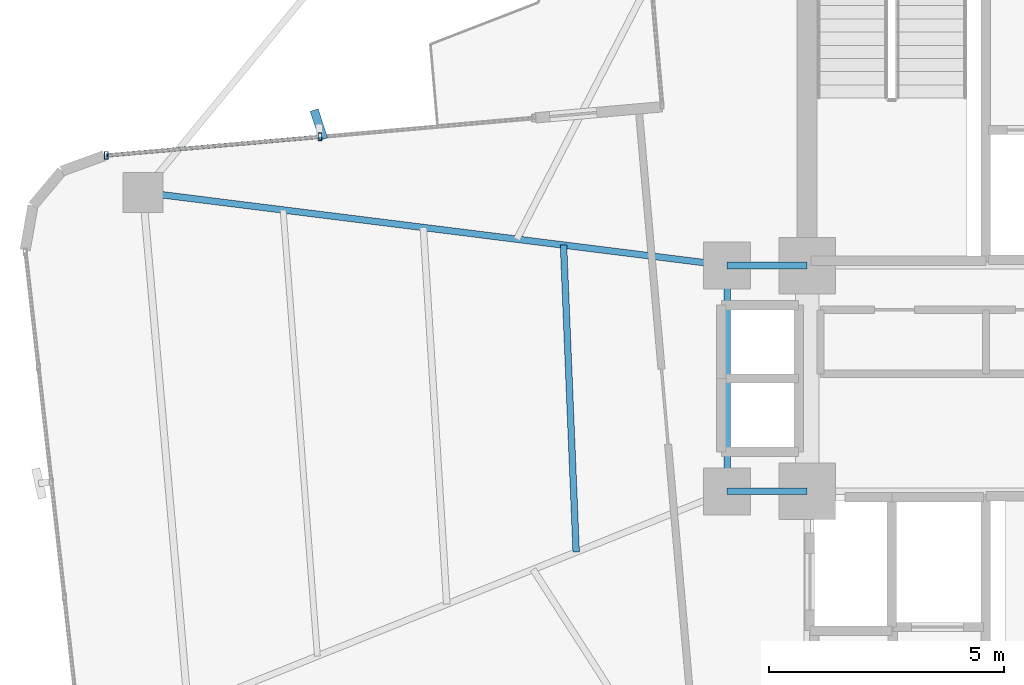
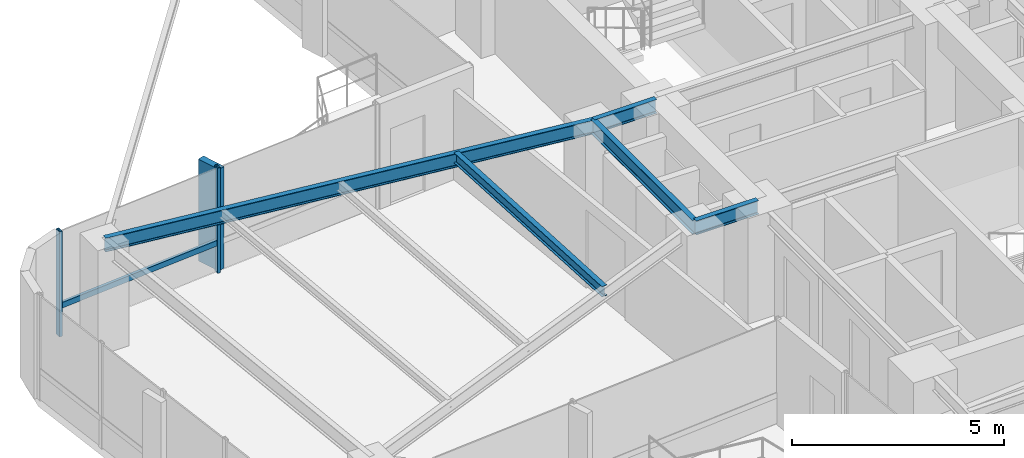
# One storey, part 9 of 24: 5 beams, 4 members, 1 element without a shape of its own.
"""IFC4 building model written with IfcOpenShell, lengths in metres."""

from ifc_helpers import new_model, si_unit, direction, frame, origin, origin_2d, place, context, subcontext, project, spatial, rectangle, hollow_rectangle, i_section, extrude, source, transform, mapped, material, material_profile, profile_set, type_object, element, aggregate, save


model = new_model("IFC4")

# Units and contexts
model_context = context("Model", 3, precision=1e-05, world=origin(), true_north=direction((0.0, 1.0)))
body_context = subcontext(model_context, "Body", "Model", "MODEL_VIEW")
ifc_project = project(units=[si_unit("LENGTHUNIT", "METRE"), si_unit("AREAUNIT", "SQUARE_METRE"), si_unit("VOLUMEUNIT", "CUBIC_METRE"), si_unit("PLANEANGLEUNIT", "RADIAN"), si_unit("MASSUNIT", "GRAM", prefix="KILO")], contexts=[model_context])

# Site, building, storey
site_placement = place(None, origin())
site = spatial("IfcSite", under=ifc_project, at=site_placement, CompositionType="ELEMENT")
building_placement = place(site_placement, origin())
building = spatial("IfcBuilding", under=site, at=building_placement, Name="Sahyath Konkavel Grand Hotel", CompositionType="ELEMENT")
storey_placement = place(building_placement, frame((0.0, 0.0, 198.64990234375)))
storey = spatial("IfcBuildingStorey", under=building, at=storey_placement, Name="L55", CompositionType="ELEMENT", Elevation=198.64990234375)

# Beams
ifc_material_1 = material(Name="Steel E350", Category="steel")
ifc_material_profile_1 = material_profile(ifc_material_1, i_section(OverallWidth=0.139892578125, OverallDepth=0.39990234375, WebThickness=0.0087890625, FlangeThickness=0.01611328125, FilletRadius=0.013916015625, at=origin_2d()), Name="ISMB 400")
ifc_profile_set_1 = profile_set([ifc_material_profile_1], Name="Steel E350")
beam_type_1 = type_object("IfcBeamType", Name="BM-ISMB400", PredefinedType="BEAM", material=ifc_profile_set_1)
shared_shape_1 = source(origin(), body_context, "Body", "SweptSolid", [
    extrude(i_section(OverallWidth=0.139892578125, OverallDepth=0.39990234375, WebThickness=0.0087890625, FlangeThickness=0.01611328125, FilletRadius=0.013916015625, at=origin_2d()), origin(), (0.0, 0.0, 1.0), 1.699951171875),
])
for number, where, z_axis, x_axis, name in (
    (1, (-5.5, 2.39990234375, 2.830078125), (1.0, 0.0, 0.0), (0.0, 1.0, 0.0), "str:bm:L55:HB-NW"),
    (2, (-5.5, -2.39990234375, 2.830078125), (1.0, 0.0, 0.0), (0.0, 1.0, 0.0), "str:bm:L55:HB-SW"),
):
    element("IfcBeam", number, at=place(storey_placement, frame(where, z_axis=z_axis, x_axis=x_axis)), inside=storey, type_object=beam_type_1, Name=name, PredefinedType="BEAM", context=body_context, shape_type="MappedRepresentation", body=[
        mapped(shared_shape_1, transform((0.0, 0.0, 0.0), scale=1.0)),
    ])
shared_shape_2 = source(origin(), body_context, "Body", "SweptSolid", [
    extrude(i_section(OverallWidth=0.139892578125, OverallDepth=0.39990234375, WebThickness=0.0087890625, FlangeThickness=0.01611328125, FilletRadius=0.013916015625, at=origin_2d()), origin(), (0.0, 0.0, 1.0), 4.7998046875),
])
beam_1_placement = place(storey_placement, frame((-5.5, -2.39990234375, 2.830078125), z_axis=(0.0, 1.0, 0.0), x_axis=(-1.0, 0.0, 0.0)))
element("IfcBeam", 3, at=beam_1_placement, inside=storey, type_object=beam_type_1, Name="str:bm:L55:HB-W", PredefinedType="BEAM", context=body_context, shape_type="MappedRepresentation", body=[
    mapped(shared_shape_2, transform((0.0, 0.0, 0.0), scale=1.0)),
])
shared_shape_3 = source(origin(), body_context, "Body", "SweptSolid", [
    extrude(i_section(OverallWidth=0.139892578125, OverallDepth=0.39990234375, WebThickness=0.0087890625, FlangeThickness=0.01611328125, FilletRadius=0.013916015625, at=origin_2d()), origin(), (0.0, 0.0, 1.0), 12.509765625),
])
beam_2_placement = place(storey_placement, frame((-5.5, 2.39990234375, 2.830078125), z_axis=(-0.992254740459, 0.124219684578, 0.0), x_axis=(-0.124219684578, -0.992254740459, 0.0)))
element("IfcBeam", 4, at=beam_2_placement, inside=storey, type_object=beam_type_1, Name="L55 Cruciform Radial Girder WA", PredefinedType="BEAM", context=body_context, shape_type="MappedRepresentation", body=[
    mapped(shared_shape_3, transform((0.0, 0.0, 0.0), scale=1.0)),
])
ifc_material_profile_2 = material_profile(ifc_material_1, i_section(OverallWidth=0.139892578125, OverallDepth=0.300048828125, WebThickness=0.0078125, FlangeThickness=0.01318359375, FilletRadius=0.013916015625, at=origin_2d()), Name="ISMB 300")
ifc_profile_set_2 = profile_set([ifc_material_profile_2], Name="Steel E350")
beam_type_2 = type_object("IfcBeamType", Name="BM-ISMB300", PredefinedType="BEAM", material=ifc_profile_set_2)
shared_shape_4 = source(origin(), body_context, "Body", "SweptSolid", [
    extrude(i_section(OverallWidth=0.139892578125, OverallDepth=0.300048828125, WebThickness=0.0078125, FlangeThickness=0.01318359375, FilletRadius=0.013916015625, at=origin_2d()), origin(), (0.0, 0.0, 1.0), 6.530029296875),
])
beam_3_placement = place(storey_placement, frame((-8.9755859375, 2.835205078125, 2.880126953125), z_axis=(0.04112667768, -0.999153940283, 0.0), x_axis=(0.999153940283, 0.04112667768, 0.0)))
element("IfcBeam", 5, at=beam_3_placement, inside=storey, type_object=beam_type_2, Name="L55 Secondary Floor Beam W-1", PredefinedType="BEAM", context=body_context, shape_type="MappedRepresentation", body=[
    mapped(shared_shape_4, transform((0.0, 0.0, 0.0), scale=1.0)),
])

# Curtain wall, members
ifc_material_2 = material(Name="Anodised Bronze Aluminium & Low-E Glazing", Category="aluminium")
curtain_wall_type = type_object("IfcCurtainWallType", Name="CW-ZONE3", PredefinedType="NOTDEFINED", material=ifc_material_2)
curtain_wall_placement = place(storey_placement, origin())
curtain_wall = element("IfcCurtainWall", 6, at=curtain_wall_placement, inside=storey, type_object=curtain_wall_type, Name="L55 Unitised Curtain Wall F16", PredefinedType="NOTDEFINED")
ifc_material_3 = material(Name="Anodised Bronze Aluminium", Category="aluminium")
ifc_material_profile_3 = material_profile(ifc_material_3, hollow_rectangle(XDim=0.080078125, YDim=0.159912109375, WallThickness=0.006103515625, at=origin_2d()), Name="RHS 160x80x6")
ifc_profile_set_3 = profile_set([ifc_material_profile_3], Name="Anodised Bronze Aluminium")
member_type_1 = type_object("IfcMemberType", Name="CW-MUL-160", PredefinedType="MULLION", material=ifc_profile_set_3)
shared_shape_5 = source(origin(), body_context, "Body", "SweptSolid", [
    extrude(hollow_rectangle(XDim=0.080078125, YDim=0.159912109375, WallThickness=0.006103515625, at=origin_2d()), origin(), (0.0, 0.0, 1.0), 3.030029296875),
])
member_1_placement = place(storey_placement, frame((-14.151611328125, 5.135986328125, 0.0), z_axis=(0.0, 0.0, 1.0), x_axis=(1.0, 0.0, 0.0)))
member_1 = element("IfcMember", 7, at=member_1_placement, type_object=member_type_1, Name="L55 Curtain Wall Mullion F16-1", PredefinedType="MULLION", context=body_context, shape_type="MappedRepresentation", body=[
    mapped(shared_shape_5, transform((0.0, 0.0, 0.0), scale=1.0)),
])
member_2_placement = place(storey_placement, frame((-18.694091796875, 4.73876953125, 0.0), z_axis=(0.0, 0.0, 1.0), x_axis=(1.0, 0.0, 0.0)))
member_2 = element("IfcMember", 8, at=member_2_placement, type_object=member_type_1, Name="L55 Curtain Wall Mullion F16-2", PredefinedType="MULLION", context=body_context, shape_type="MappedRepresentation", body=[
    mapped(shared_shape_5, transform((0.0, 0.0, 0.0), scale=1.0)),
])
ifc_material_4 = material(Name="Warm Buff Sandstone Cladding on Concrete C50/60", Category="masonry")
ifc_material_profile_4 = material_profile(ifc_material_4, rectangle(XDim=0.179931640625, YDim=0.64990234375, at=origin_2d()), Name="FIN 180x650")
ifc_profile_set_4 = profile_set([ifc_material_profile_4], Name="Warm Buff Sandstone Cladding on Concrete C50/60")
member_type_2 = type_object("IfcMemberType", Name="FIN-SANDSTONE-650", PredefinedType="MULLION", material=ifc_profile_set_4)
shared_shape_6 = source(origin(), body_context, "Body", "SweptSolid", [
    extrude(rectangle(XDim=0.179931640625, YDim=0.64990234375, at=origin_2d()), origin(), (0.0, 0.0, 1.0), 2.929931640625),
])
member_3_placement = place(storey_placement, frame((-14.17431640625, 5.39501953125, 0.050048828125), z_axis=(0.0, 0.0, 1.0), x_axis=(0.951056516295, 0.309016994375, 0.0)))
member_3 = element("IfcMember", 9, at=member_3_placement, type_object=member_type_2, Name="L55 Sandstone Vertical Solar Fin FIN F16-1", PredefinedType="MULLION", context=body_context, shape_type="MappedRepresentation", body=[
    mapped(shared_shape_6, transform((0.0, 0.0, 0.0), scale=1.0)),
])
ifc_material_profile_5 = material_profile(ifc_material_3, hollow_rectangle(XDim=0.080078125, YDim=0.159912109375, WallThickness=0.006103515625, at=origin_2d()), Name="RHS 160x80x6")
ifc_profile_set_5 = profile_set([ifc_material_profile_5], Name="Anodised Bronze Aluminium")
member_type_3 = type_object("IfcMemberType", Name="CW-TRN-160", PredefinedType="USERDEFINED", material=ifc_profile_set_5)
shared_shape_7 = source(origin(), body_context, "Body", "SweptSolid", [
    extrude(hollow_rectangle(XDim=0.080078125, YDim=0.159912109375, WallThickness=0.006103515625, at=origin_2d()), origin(), (0.0, 0.0, 1.0), 4.559814453125),
])
member_4_placement = place(storey_placement, frame((-14.151611328125, 5.135986328125, 0.85009765625), z_axis=(-0.99619848155, -0.087112486804, 0.0), x_axis=(0.087112486804, -0.99619848155, 0.0)))
member_4 = element("IfcMember", 10, at=member_4_placement, type_object=member_type_3, Name="L55 Curtain Wall Transom F16-1-spandrel", ObjectType="TRANSOM", PredefinedType="USERDEFINED", context=body_context, shape_type="MappedRepresentation", body=[
    mapped(shared_shape_7, transform((0.0, 0.0, 0.0), scale=1.0)),
])
aggregate(curtain_wall, [member_1, member_3, member_2, member_4])

save(model, "model.ifc")
